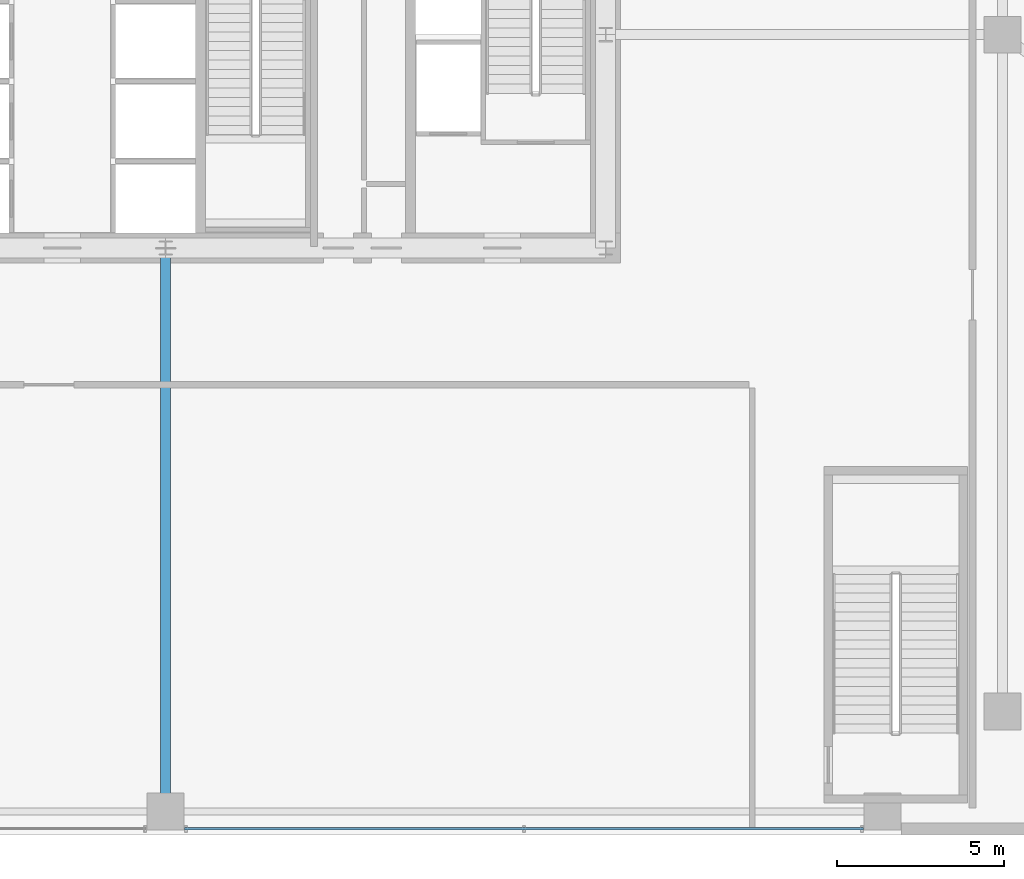
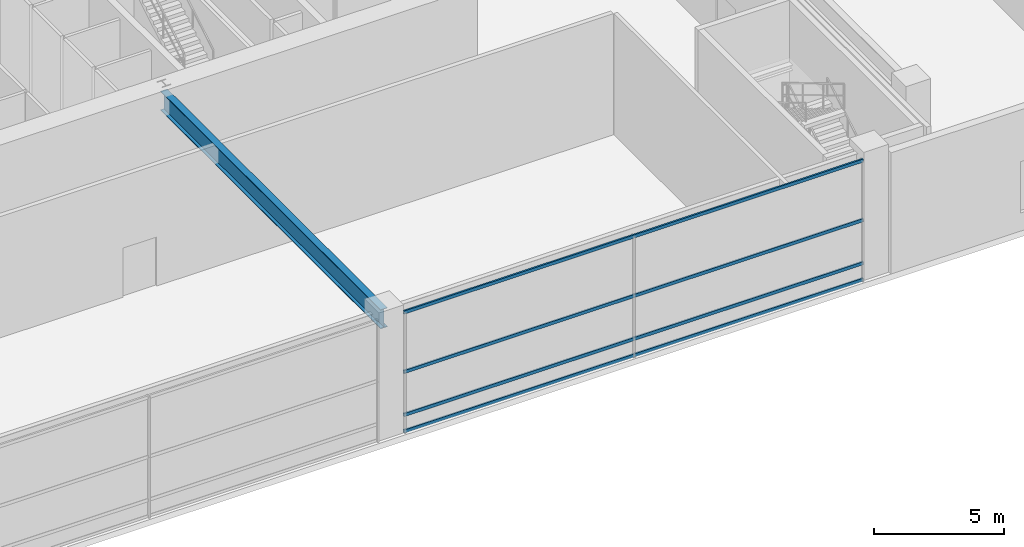
# One storey, part 14 of 39: 4 members, 1 beam, 1 element without a shape of its own.
"""IFC4 building model written with IfcOpenShell, lengths in metres."""

from ifc_helpers import new_model, si_unit, direction, frame, origin, origin_2d, place, context, subcontext, project, spatial, hollow_rectangle, i_section, extrude, source, transform, mapped, material, layer, layer_set, material_profile, profile_set, type_object, element, aggregate, save


model = new_model("IFC4")

# Units and contexts
model_context = context("Model", 3, precision=1e-05, world=origin(), true_north=direction((0.0, 1.0)))
body_context = subcontext(model_context, "Body", "Model", "MODEL_VIEW")
ifc_project = project(units=[si_unit("LENGTHUNIT", "METRE"), si_unit("AREAUNIT", "SQUARE_METRE"), si_unit("VOLUMEUNIT", "CUBIC_METRE"), si_unit("PLANEANGLEUNIT", "RADIAN"), si_unit("MASSUNIT", "GRAM", prefix="KILO"), si_unit("THERMODYNAMICTEMPERATUREUNIT", "KELVIN"), si_unit("POWERUNIT", "WATT")], contexts=[model_context])

# Site, building, storey
site_placement = place(None, origin())
site = spatial("IfcSite", under=ifc_project, at=site_placement, CompositionType="ELEMENT")
building_placement = place(site_placement, origin())
building = spatial("IfcBuilding", under=site, at=building_placement, Name="Yuzanri Waterfront Tower", CompositionType="ELEMENT")
storey_placement = place(building_placement, frame((0.0, 0.0, 19.800048828125)))
storey = spatial("IfcBuildingStorey", under=building, at=storey_placement, Name="L05", CompositionType="ELEMENT", Elevation=19.800048828125)

# Beam
ifc_material_1 = material(Name="Steel Q355B", Category="steel")
ifc_material_profile_1 = material_profile(ifc_material_1, i_section(OverallWidth=0.300048828125, OverallDepth=0.89990234375, WebThickness=0.01611328125, FlangeThickness=0.028076171875, at=origin_2d()), Name="HN 900x300x16x28")
ifc_profile_set_1 = profile_set([ifc_material_profile_1], Name="Steel Q355B")
beam_type = type_object("IfcBeamType", Name="Primary Podium Girder Q355B HN 900x300", PredefinedType="BEAM", material=ifc_profile_set_1)
shared_shape_1 = source(origin(), body_context, "Body", "SweptSolid", [
    extrude(i_section(OverallWidth=0.300048828125, OverallDepth=0.89990234375, WebThickness=0.01611328125, FlangeThickness=0.028076171875, at=origin_2d()), origin(), (0.0, 0.0, 1.0), 16.89990234375),
])
beam_placement = place(storey_placement, frame((37.0, 2.5, 5.22998046875), z_axis=(0.0, 1.0, 0.0), x_axis=(-1.0, 0.0, 0.0)))
element("IfcBeam", 1, at=beam_placement, inside=storey, type_object=beam_type, Name="L05 South Core Link Girder", PredefinedType="BEAM", context=body_context, shape_type="MappedRepresentation", body=[
    mapped(shared_shape_1, transform((0.0, 0.0, 0.0), scale=1.0)),
])

# Curtain wall, members
ifc_material_2 = material(Name="Anodized Architectural Bronze", Category="metal")
ifc_layer = layer(ifc_material_2, 0.159912109375)
ifc_layer_set = layer_set([ifc_layer], Name="Anodized Architectural Bronze")
curtain_wall_type = type_object("IfcCurtainWallType", Name="Anodized Bronze Podium Waterfront Double-Height Unitized Curtain Wall 8400", PredefinedType="NOTDEFINED", material=ifc_layer_set)
curtain_wall_placement = place(storey_placement, origin())
curtain_wall = element("IfcCurtainWall", 2, at=curtain_wall_placement, inside=storey, type_object=curtain_wall_type, Name="L05 Curtain Wall CW-L05-S2", PredefinedType="NOTDEFINED")
ifc_material_3 = material(Name="Anodized Architectural Bronze", Category="metal")
ifc_material_profile_2 = material_profile(ifc_material_3, hollow_rectangle(XDim=0.074951171875, YDim=0.14990234375, WallThickness=0.00390625, at=origin_2d()), Name="CWT 75x150")
ifc_profile_set_2 = profile_set([ifc_material_profile_2], Name="Anodized Architectural Bronze")
member_type = type_object("IfcMemberType", Name="Anodized Bronze Primary Curtain-Wall Transom 75x150", PredefinedType="USERDEFINED", material=ifc_profile_set_2)
shared_shape_2 = source(origin(), body_context, "Body", "SweptSolid", [
    extrude(hollow_rectangle(XDim=0.074951171875, YDim=0.14990234375, WallThickness=0.00390625, at=origin_2d()), origin(), (0.0, 0.0, 1.0), 20.35986328125),
])
member_1_placement = place(storey_placement, frame((37.570068359375, 1.97998046875, 0.050048828125), z_axis=(1.0, 0.0, 0.0), x_axis=(0.0, 1.0, 0.0)))
member_1 = element("IfcMember", 3, at=member_1_placement, type_object=member_type, Name="CW-L05-S2 Transom 1", ObjectType="TRANSOM", PredefinedType="USERDEFINED", context=body_context, shape_type="MappedRepresentation", body=[
    mapped(shared_shape_2, transform((0.0, 0.0, 0.0), scale=1.0)),
])
member_2_placement = place(storey_placement, frame((37.570068359375, 1.97998046875, 0.820068359375), z_axis=(1.0, 0.0, 0.0), x_axis=(0.0, 1.0, 0.0)))
member_2 = element("IfcMember", 4, at=member_2_placement, type_object=member_type, Name="CW-L05-S2 Transom 2", ObjectType="TRANSOM", PredefinedType="USERDEFINED", context=body_context, shape_type="MappedRepresentation", body=[
    mapped(shared_shape_2, transform((0.0, 0.0, 0.0), scale=1.0)),
])
member_3_placement = place(storey_placement, frame((37.570068359375, 1.97998046875, 2.83984375), z_axis=(1.0, 0.0, 0.0), x_axis=(0.0, 1.0, 0.0)))
member_3 = element("IfcMember", 5, at=member_3_placement, type_object=member_type, Name="CW-L05-S2 Transom 3", ObjectType="TRANSOM", PredefinedType="USERDEFINED", context=body_context, shape_type="MappedRepresentation", body=[
    mapped(shared_shape_2, transform((0.0, 0.0, 0.0), scale=1.0)),
])
member_4_placement = place(storey_placement, frame((37.570068359375, 1.97998046875, 5.6298828125), z_axis=(1.0, 0.0, 0.0), x_axis=(0.0, 1.0, 0.0)))
member_4 = element("IfcMember", 6, at=member_4_placement, type_object=member_type, Name="CW-L05-S2 Transom 4", ObjectType="TRANSOM", PredefinedType="USERDEFINED", context=body_context, shape_type="MappedRepresentation", body=[
    mapped(shared_shape_2, transform((0.0, 0.0, 0.0), scale=1.0)),
])
aggregate(curtain_wall, [member_1, member_2, member_3, member_4])

save(model, "model.ifc")
